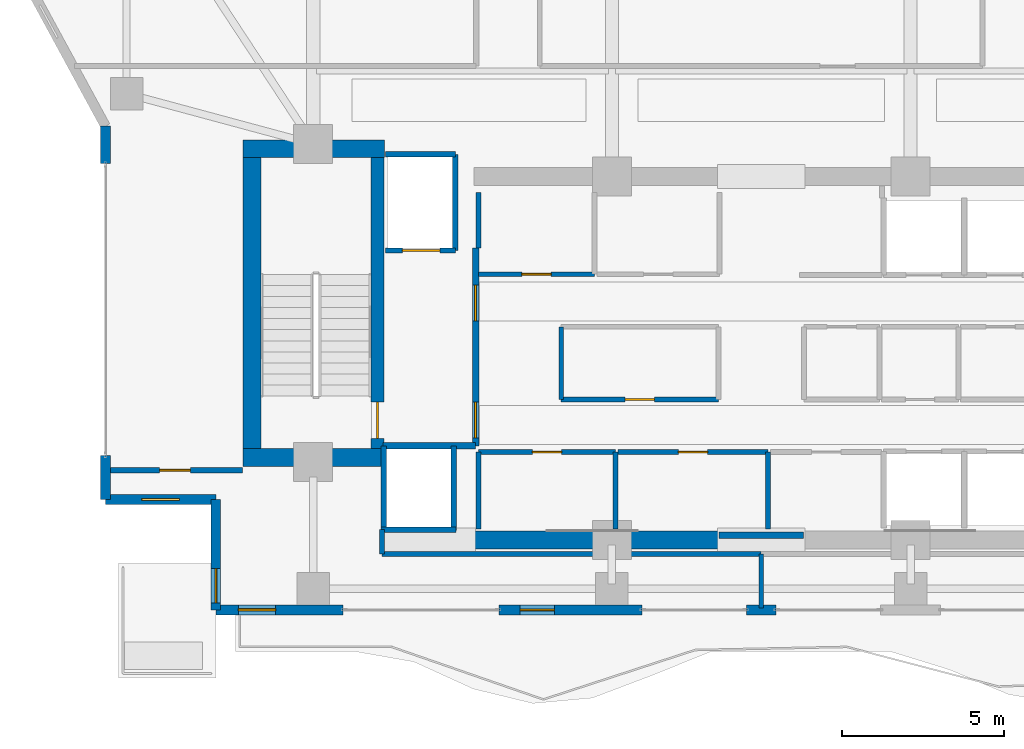
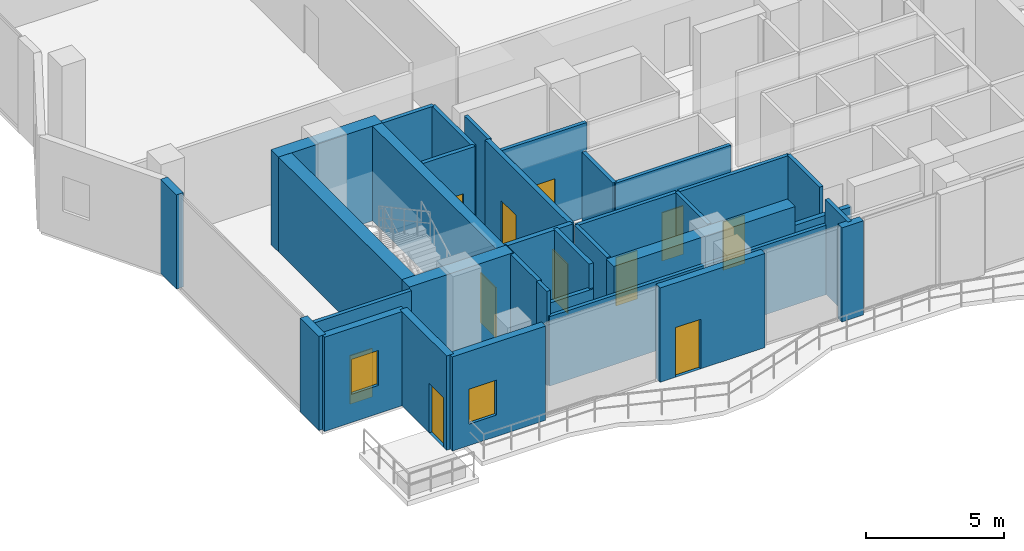
# One storey, part 18 of 24: 34 walls, 11 doors, 2 windows, 13 openings.
"""IFC4 building model written with IfcOpenShell, lengths in metres."""

from ifc_helpers import new_model, si_unit, direction, frame, frame_2d, origin, place, context, subcontext, project, spatial, rectangle, extrude, material, layer, layer_set, type_object, element, fill, save


model = new_model("IFC4")

# Units and contexts
model_context = context("Model", 3, precision=1e-05, world=origin(), true_north=direction((0.0, 1.0)))
body_context = subcontext(model_context, "Body", "Model", "MODEL_VIEW")
ifc_project = project(units=[si_unit("LENGTHUNIT", "METRE"), si_unit("AREAUNIT", "SQUARE_METRE"), si_unit("VOLUMEUNIT", "CUBIC_METRE"), si_unit("PLANEANGLEUNIT", "RADIAN"), si_unit("MASSUNIT", "GRAM", prefix="KILO")], contexts=[model_context])

# Site, building, storey
site_placement = place(None, origin())
site = spatial("IfcSite", under=ifc_project, at=site_placement, CompositionType="ELEMENT")
building_placement = place(site_placement, origin())
building = spatial("IfcBuilding", under=site, at=building_placement, Name="Zuhayl Quay Hotel", CompositionType="ELEMENT")
storey_placement = place(building_placement, frame((0.0, 0.0, 284.050048828125)))
storey = spatial("IfcBuildingStorey", under=building, at=storey_placement, Name="L72", CompositionType="ELEMENT", Elevation=284.050048828125)

# Walls
ifc_material_1 = material(Name="Concrete C50/60", Category="concrete")
ifc_layer_1 = layer(ifc_material_1, 0.550048828125, Name="Concrete C50/60", Category="concrete")
ifc_layer_set_1 = layer_set([ifc_layer_1], Name="Concrete C50/60")
wall_type_1 = type_object("IfcWallType", Name="WL_CORE_550", PredefinedType="SHEAR", material=ifc_layer_set_1)
wall_1_placement = place(storey_placement, frame((-15.9599609375, 14.205078125, 0.0), z_axis=(0.0, 0.0, 1.0), x_axis=(1.0, 0.0, 0.0)))
element("IfcWall", 1, at=wall_1_placement, inside=storey, type_object=wall_type_1, Name="L72 Core Shear Wall CW_NW", PredefinedType="SHEAR", context=body_context, shape_type="SweptSolid", body=[
    extrude(rectangle(XDim=4.35986328125, YDim=0.550048828125, at=frame_2d((2.179931640625, 0.0))), origin(), (0.0, 0.0, 1.0), 4.2099609375),
])
wall_2_placement = place(storey_placement, frame((-15.68505859375, 4.969970703125, 0.0), z_axis=(0.0, 0.0, 1.0), x_axis=(0.0, 1.0, 0.0)))
element("IfcWall", 2, at=wall_2_placement, inside=storey, type_object=wall_type_1, Name="L72 Core Shear Wall CW_W", PredefinedType="SHEAR", context=body_context, shape_type="SweptSolid", body=[
    extrude(rectangle(XDim=8.9599609375, YDim=0.550048828125, at=frame_2d((4.47998046875, 0.0))), origin(), (0.0, 0.0, 1.0), 4.2099609375),
])
wall_3_placement = place(storey_placement, frame((-15.9599609375, 4.695068359375, 0.0), z_axis=(0.0, 0.0, 1.0), x_axis=(1.0, 0.0, 0.0)))
element("IfcWall", 3, at=wall_3_placement, inside=storey, type_object=wall_type_1, Name="L72 Core Shear Wall CW_SW", PredefinedType="SHEAR", context=body_context, shape_type="SweptSolid", body=[
    extrude(rectangle(XDim=4.35986328125, YDim=0.550048828125, at=frame_2d((2.179931640625, 0.0))), origin(), (0.0, 0.0, 1.0), 4.2099609375),
])
wall_4_placement = place(storey_placement, frame((-8.85009765625, 2.14990234375, 0.0), z_axis=(0.0, 0.0, 1.0), x_axis=(1.0, 0.0, 0.0)))
element("IfcWall", 4, at=wall_4_placement, inside=storey, type_object=wall_type_1, Name="L72 Core Shear Wall CW_SC_W", PredefinedType="SHEAR", context=body_context, shape_type="SweptSolid", body=[
    extrude(rectangle(XDim=7.60009765625, YDim=0.550048828125, at=frame_2d((3.800048828125, 0.0))), origin(), (0.0, 0.0, 1.0), 4.179931640625),
])

# Wall, opening, window
ifc_material_2 = material(Name="Precast concrete C45/55", Category="concrete")
ifc_layer_2 = layer(ifc_material_2, 0.300048828125, Name="Precast concrete C45/55", Category="concrete")
ifc_layer_set_2 = layer_set([ifc_layer_2], Name="Precast concrete C45/55")
wall_type_2 = type_object("IfcWallType", Name="WL_EXT_300", PredefinedType="STANDARD", material=ifc_layer_set_2)
wall_5_placement = place(storey_placement, frame((-16.800048828125, 3.39990234375, 0.0), z_axis=(0.0, 0.0, 1.0), x_axis=(-1.0, 0.0, 0.0)))
wall_5 = element("IfcWall", 5, at=wall_5_placement, inside=storey, type_object=wall_type_2, Name="L72 Exterior Precast Wall ENV_L72_EW01", PredefinedType="STANDARD", context=body_context, shape_type="SweptSolid", body=[
    extrude(rectangle(XDim=3.39990234375, YDim=0.300048828125, at=frame_2d((1.699951171875, 0.0))), origin(), (0.0, 0.0, 1.0), 4.179931640625),
])
opening_1_placement = place(wall_5_placement, frame((1.125, 0.0, 1.25)))
opening_1 = element("IfcOpeningElement", 6, at=opening_1_placement, cuts=wall_5, Name="Opening W01N", PredefinedType="OPENING", context=body_context, shape_type="SweptSolid", body=[
    extrude(rectangle(XDim=1.14990234375, YDim=1.550048828125, at=frame_2d((0.574951171875, 0.77490234375))), frame((0.0, 0.159912109375, 0.0), z_axis=(0.0, -1.0, 0.0), x_axis=(1.0, 0.0, 0.0)), (0.0, 0.0, 1.0), 0.320068359375),
])
ifc_material_3 = material(Name="Dark Ceramic-Fritted Solar Glass", Category="glass")
window_type = type_object("IfcWindowType", Name="WN_NOTCH_1350", PartitioningType="SINGLE_PANEL", PredefinedType="WINDOW", material=ifc_material_3)
window_1_placement = place(opening_1_placement, origin())
window_1 = element("IfcWindow", 7, at=window_1_placement, inside=storey, type_object=window_type, Name="L72 Corner Notch Window 1", OverallHeight=1.550048828125, OverallWidth=1.14990234375, PartitioningType="SINGLE_PANEL", PredefinedType="WINDOW", context=body_context, shape_type="SweptSolid", body=[
    extrude(rectangle(XDim=1.14990234375, YDim=1.550048828125, at=frame_2d((0.574951171875, 0.77490234375))), frame((0.0, 0.030029296875, 0.0), z_axis=(0.0, -1.0, 0.0), x_axis=(1.0, 0.0, 0.0)), (0.0, 0.0, 1.0), 0.06005859375),
])
fill(opening_1, window_1)

# Walls
wall_6_placement = place(storey_placement, frame((-20.199951171875, 3.39990234375, 0.0), z_axis=(0.0, 0.0, 1.0), x_axis=(0.0, 1.0, 0.0)))
element("IfcWall", 8, at=wall_6_placement, inside=storey, type_object=wall_type_2, Name="L72 Exterior Precast Wall ENV_L72_E02_EW1", PredefinedType="STANDARD", context=body_context, shape_type="SweptSolid", body=[
    extrude(rectangle(XDim=1.35009765625, YDim=0.300048828125, at=frame_2d((0.675048828125, 0.0))), origin(), (0.0, 0.0, 1.0), 4.179931640625),
])
wall_7_placement = place(storey_placement, frame((-20.199951171875, 13.75, 0.0), z_axis=(0.0, 0.0, 1.0), x_axis=(0.0, 1.0, 0.0)))
element("IfcWall", 9, at=wall_7_placement, inside=storey, type_object=wall_type_2, Name="L72 Exterior Precast Wall ENV_L72_E02_EW2", PredefinedType="STANDARD", context=body_context, shape_type="SweptSolid", body=[
    extrude(rectangle(XDim=1.14990234375, YDim=0.300048828125, at=frame_2d((0.574951171875, 0.0))), origin(), (0.0, 0.0, 1.0), 4.179931640625),
])
wall_8_placement = place(storey_placement, frame((0.449951171875, 0.0, 0.0), z_axis=(0.0, 0.0, 1.0), x_axis=(-1.0, 0.0, 0.0)))
element("IfcWall", 10, at=wall_8_placement, inside=storey, type_object=wall_type_2, Name="L72 Exterior Precast Wall ENV_L72_S_EW3", PredefinedType="STANDARD", context=body_context, shape_type="SweptSolid", body=[
    extrude(rectangle(XDim=0.89990234375, YDim=0.300048828125, at=frame_2d((0.449951171875, 0.0))), origin(), (0.0, 0.0, 1.0), 4.179931640625),
])

# Wall, opening, door
wall_9_placement = place(storey_placement, frame((-3.679931640625, 0.0, 0.0), z_axis=(0.0, 0.0, 1.0), x_axis=(-1.0, 0.0, 0.0)))
wall_9 = element("IfcWall", 11, at=wall_9_placement, inside=storey, type_object=wall_type_2, Name="L72 Exterior Precast Wall ENV_L72_S_EW4", PredefinedType="STANDARD", context=body_context, shape_type="SweptSolid", body=[
    extrude(rectangle(XDim=4.39501953125, YDim=0.300048828125, at=frame_2d((2.197509765625, 0.0))), origin(), (0.0, 0.0, 1.0), 4.179931640625),
])
opening_2_placement = place(wall_9_placement, frame((2.695068359375, 0.0, 0.0)))
opening_2 = element("IfcOpeningElement", 12, at=opening_2_placement, cuts=wall_9, Name="Opening DG1", PredefinedType="OPENING", context=body_context, shape_type="SweptSolid", body=[
    extrude(rectangle(XDim=1.050048828125, YDim=2.199951171875, at=frame_2d((0.52490234375, 1.10009765625))), frame((0.0, 0.159912109375, 0.0), z_axis=(0.0, -1.0, 0.0), x_axis=(1.0, 0.0, 0.0)), (0.0, 0.0, 1.0), 0.320068359375),
])
ifc_material_4 = material(Name="Anodised Aluminium and Dark Solar Glass", Category="aluminium")
door_type_1 = type_object("IfcDoorType", Name="DR_EXT_TERR_1050", OperationType="NOTDEFINED", PredefinedType="DOOR", material=ifc_material_4)
door_1_placement = place(opening_2_placement, origin())
door_1 = element("IfcDoor", 13, at=door_1_placement, inside=storey, type_object=door_type_1, Name="L72 South Rippling Balcony Door", OperationType="SINGLE_SWING_RIGHT", OverallHeight=2.199951171875, OverallWidth=1.050048828125, PredefinedType="DOOR", context=body_context, shape_type="SweptSolid", body=[
    extrude(rectangle(XDim=1.050048828125, YDim=2.199951171875, at=frame_2d((0.52490234375, 1.10009765625))), frame((0.0, 0.02490234375, 0.0), z_axis=(0.0, -1.0, 0.0), x_axis=(1.0, 0.0, 0.0)), (0.0, 0.0, 1.0), 0.050048828125),
])
fill(opening_2, door_1)

# Wall, opening, window
wall_10_placement = place(storey_placement, frame((-12.8798828125, 0.0, 0.0), z_axis=(0.0, 0.0, 1.0), x_axis=(-1.0, 0.0, 0.0)))
wall_10 = element("IfcWall", 14, at=wall_10_placement, inside=storey, type_object=wall_type_2, Name="L72 Exterior Precast Wall ENV_L72_S_EW5", PredefinedType="STANDARD", context=body_context, shape_type="SweptSolid", body=[
    extrude(rectangle(XDim=3.920166015625, YDim=0.300048828125, at=frame_2d((1.9599609375, 0.0))), origin(), (0.0, 0.0, 1.0), 4.179931640625),
])
opening_3_placement = place(wall_10_placement, frame((2.074951171875, 0.0, 0.949951171875)))
opening_3 = element("IfcOpeningElement", 15, at=opening_3_placement, cuts=wall_10, Name="Opening W01N", PredefinedType="OPENING", context=body_context, shape_type="SweptSolid", body=[
    extrude(rectangle(XDim=1.14990234375, YDim=1.550048828125, at=frame_2d((0.574951171875, 0.77490234375))), frame((0.0, 0.159912109375, 0.0), z_axis=(0.0, -1.0, 0.0), x_axis=(1.0, 0.0, 0.0)), (0.0, 0.0, 1.0), 0.320068359375),
])
window_2_placement = place(opening_3_placement, origin())
window_2 = element("IfcWindow", 16, at=window_2_placement, inside=storey, type_object=window_type, Name="L72 Operable Facade Window 5-1", OverallHeight=1.550048828125, OverallWidth=1.14990234375, PartitioningType="SINGLE_PANEL", PredefinedType="WINDOW", context=body_context, shape_type="SweptSolid", body=[
    extrude(rectangle(XDim=1.14990234375, YDim=1.550048828125, at=frame_2d((0.574951171875, 0.77490234375))), frame((0.0, 0.030029296875, 0.0), z_axis=(0.0, -1.0, 0.0), x_axis=(1.0, 0.0, 0.0)), (0.0, 0.0, 1.0), 0.06005859375),
])
fill(opening_3, window_2)

# Wall, opening, door
wall_11_placement = place(storey_placement, frame((-16.800048828125, 0.0, 0.0), z_axis=(0.0, 0.0, 1.0), x_axis=(0.0, 1.0, 0.0)))
wall_11 = element("IfcWall", 17, at=wall_11_placement, inside=storey, type_object=wall_type_2, Name="L72 Exterior Precast Wall ENV_L72_SP_SW", PredefinedType="STANDARD", context=body_context, shape_type="SweptSolid", body=[
    extrude(rectangle(XDim=3.39990234375, YDim=0.300048828125, at=frame_2d((1.699951171875, 0.0))), origin(), (0.0, 0.0, 1.0), 4.179931640625),
])
opening_4_placement = place(wall_11_placement, frame((0.219970703125, 0.0, 0.0)))
opening_4 = element("IfcOpeningElement", 18, at=opening_4_placement, cuts=wall_11, Name="Opening DG1", PredefinedType="OPENING", context=body_context, shape_type="SweptSolid", body=[
    extrude(rectangle(XDim=1.050048828125, YDim=2.199951171875, at=frame_2d((0.52490234375, 1.10009765625))), frame((0.0, 0.159912109375, 0.0), z_axis=(0.0, -1.0, 0.0), x_axis=(1.0, 0.0, 0.0)), (0.0, 0.0, 1.0), 0.320068359375),
])
door_2_placement = place(opening_4_placement, origin())
door_2 = element("IfcDoor", 19, at=door_2_placement, inside=storey, type_object=door_type_1, Name="L72 Spiral Sky-Terrace SW Access Door", OperationType="SINGLE_SWING_LEFT", OverallHeight=2.199951171875, OverallWidth=1.050048828125, PredefinedType="DOOR", context=body_context, shape_type="SweptSolid", body=[
    extrude(rectangle(XDim=1.050048828125, YDim=2.199951171875, at=frame_2d((0.52490234375, 1.10009765625))), frame((0.0, 0.02490234375, 0.0), z_axis=(0.0, -1.0, 0.0), x_axis=(1.0, 0.0, 0.0)), (0.0, 0.0, 1.0), 0.050048828125),
])
fill(opening_4, door_2)

ifc_material_5 = material(Name="Acoustic Gypsum Partition STC-58")
ifc_layer_3 = layer(ifc_material_5, 0.14990234375, Name="Acoustic Gypsum Partition STC-58")
ifc_layer_set_3 = layer_set([ifc_layer_3], Name="Acoustic Gypsum Partition STC-58")
wall_type_3 = type_object("IfcWallType", Name="WL_PART_150", PredefinedType="PARTITIONING", material=ifc_layer_set_3)
wall_12_placement = place(storey_placement, frame((-8.7099609375, 4.860107421875, 0.0), z_axis=(0.0, 0.0, 1.0), x_axis=(1.0, 0.0, 0.0)))
wall_12 = element("IfcWall", 20, at=wall_12_placement, inside=storey, type_object=wall_type_3, Name="L72 Partition IW_L72_FMP_S1_N", PredefinedType="PARTITIONING", context=body_context, shape_type="SweptSolid", body=[
    extrude(rectangle(XDim=4.219970703125, YDim=0.14990234375, at=frame_2d((2.10986328125, 0.0))), origin(), (0.0, 0.0, 1.0), 4.179931640625),
])
opening_5_placement = place(wall_12_placement, frame((1.659912109375, 0.0, 0.0)))
opening_5 = element("IfcOpeningElement", 21, at=opening_5_placement, cuts=wall_12, Name="Opening D06", PredefinedType="OPENING", context=body_context, shape_type="SweptSolid", body=[
    extrude(rectangle(XDim=0.89990234375, YDim=2.14990234375, at=frame_2d((0.449951171875, 1.074951171875))), frame((0.0, 0.0849609375, 0.0), z_axis=(0.0, -1.0, 0.0), x_axis=(1.0, 0.0, 0.0)), (0.0, 0.0, 1.0), 0.169921875),
])
ifc_material_6 = material(Name="Steel ASTM A992 Grade 50", Category="steel")
door_type_2 = type_object("IfcDoorType", Name="DR_INT_900", OperationType="NOTDEFINED", PredefinedType="DOOR", material=ifc_material_6)
door_3_placement = place(opening_5_placement, origin())
door_3 = element("IfcDoor", 22, at=door_3_placement, inside=storey, type_object=door_type_2, Name="L72 Silverware Pantry Door", OperationType="SINGLE_SWING_LEFT", OverallHeight=2.14990234375, OverallWidth=0.89990234375, PredefinedType="DOOR", context=body_context, shape_type="SweptSolid", body=[
    extrude(rectangle(XDim=0.89990234375, YDim=2.14990234375, at=frame_2d((0.449951171875, 1.074951171875))), frame((0.0, 0.02490234375, 0.0), z_axis=(0.0, -1.0, 0.0), x_axis=(1.0, 0.0, 0.0)), (0.0, 0.0, 1.0), 0.050048828125),
])
fill(opening_5, door_3)

wall_13_placement = place(storey_placement, frame((-4.409912109375, 4.860107421875, 0.0), z_axis=(0.0, 0.0, 1.0), x_axis=(1.0, 0.0, 0.0)))
wall_13 = element("IfcWall", 23, at=wall_13_placement, inside=storey, type_object=wall_type_3, Name="L72 Partition IW_L72_FMP_S2_N", PredefinedType="PARTITIONING", context=body_context, shape_type="SweptSolid", body=[
    extrude(rectangle(XDim=4.619873046875, YDim=0.14990234375, at=frame_2d((2.31005859375, 0.0))), origin(), (0.0, 0.0, 1.0), 4.179931640625),
])
opening_6_placement = place(wall_13_placement, frame((1.860107421875, 0.0, 0.0)))
opening_6 = element("IfcOpeningElement", 24, at=opening_6_placement, cuts=wall_13, Name="Opening D06", PredefinedType="OPENING", context=body_context, shape_type="SweptSolid", body=[
    extrude(rectangle(XDim=0.89990234375, YDim=2.14990234375, at=frame_2d((0.449951171875, 1.074951171875))), frame((0.0, 0.0849609375, 0.0), z_axis=(0.0, -1.0, 0.0), x_axis=(1.0, 0.0, 0.0)), (0.0, 0.0, 1.0), 0.169921875),
])
door_4_placement = place(opening_6_placement, origin())
door_4 = element("IfcDoor", 25, at=door_4_placement, inside=storey, type_object=door_type_2, Name="L72 Crystal Store Door", OperationType="SINGLE_SWING_RIGHT", OverallHeight=2.14990234375, OverallWidth=0.89990234375, PredefinedType="DOOR", context=body_context, shape_type="SweptSolid", body=[
    extrude(rectangle(XDim=0.89990234375, YDim=2.14990234375, at=frame_2d((0.449951171875, 1.074951171875))), frame((0.0, 0.02490234375, 0.0), z_axis=(0.0, -1.0, 0.0), x_axis=(1.0, 0.0, 0.0)), (0.0, 0.0, 1.0), 0.050048828125),
])
fill(opening_6, door_4)

wall_14_placement = place(storey_placement, frame((-8.7099609375, 10.340087890625, 0.0), z_axis=(0.0, 0.0, 1.0), x_axis=(1.0, 0.0, 0.0)))
wall_14 = element("IfcWall", 26, at=wall_14_placement, inside=storey, type_object=wall_type_3, Name="L72 Partition IW_L72_FMP_N1_S", PredefinedType="PARTITIONING", context=body_context, shape_type="SweptSolid", body=[
    extrude(rectangle(XDim=3.570068359375, YDim=0.14990234375, at=frame_2d((1.78515625, 0.0))), origin(), (0.0, 0.0, 1.0), 4.179931640625),
])
opening_7_placement = place(wall_14_placement, frame((1.3349609375, 0.0, 0.0)))
opening_7 = element("IfcOpeningElement", 27, at=opening_7_placement, cuts=wall_14, Name="Opening D06", PredefinedType="OPENING", context=body_context, shape_type="SweptSolid", body=[
    extrude(rectangle(XDim=0.89990234375, YDim=2.14990234375, at=frame_2d((0.449951171875, 1.074951171875))), frame((0.0, 0.0849609375, 0.0), z_axis=(0.0, -1.0, 0.0), x_axis=(1.0, 0.0, 0.0)), (0.0, 0.0, 1.0), 0.169921875),
])
door_5_placement = place(opening_7_placement, origin())
door_5 = element("IfcDoor", 28, at=door_5_placement, inside=storey, type_object=door_type_2, Name="L72 West Valet Bay Door", OperationType="SINGLE_SWING_RIGHT", OverallHeight=2.14990234375, OverallWidth=0.89990234375, PredefinedType="DOOR", context=body_context, shape_type="SweptSolid", body=[
    extrude(rectangle(XDim=0.89990234375, YDim=2.14990234375, at=frame_2d((0.449951171875, 1.074951171875))), frame((0.0, 0.02490234375, 0.0), z_axis=(0.0, -1.0, 0.0), x_axis=(1.0, 0.0, 0.0)), (0.0, 0.0, 1.0), 0.050048828125),
])
fill(opening_7, door_5)

wall_15_placement = place(storey_placement, frame((-6.159912109375, 6.47998046875, 0.0), z_axis=(0.0, 0.0, 1.0), x_axis=(1.0, 0.0, 0.0)))
wall_15 = element("IfcWall", 29, at=wall_15_placement, inside=storey, type_object=wall_type_3, Name="L72 Partition IW_L72_CORE_SV_S", PredefinedType="PARTITIONING", context=body_context, shape_type="SweptSolid", body=[
    extrude(rectangle(XDim=4.83984375, YDim=0.14990234375, at=frame_2d((2.419921875, 0.0))), origin(), (0.0, 0.0, 1.0), 4.179931640625),
])
opening_8_placement = place(wall_15_placement, frame((1.969970703125, 0.0, 0.0)))
opening_8 = element("IfcOpeningElement", 30, at=opening_8_placement, cuts=wall_15, Name="Opening D06", PredefinedType="OPENING", context=body_context, shape_type="SweptSolid", body=[
    extrude(rectangle(XDim=0.89990234375, YDim=2.14990234375, at=frame_2d((0.449951171875, 1.074951171875))), frame((0.0, 0.0849609375, 0.0), z_axis=(0.0, -1.0, 0.0), x_axis=(1.0, 0.0, 0.0)), (0.0, 0.0, 1.0), 0.169921875),
])
door_6_placement = place(opening_8_placement, origin())
door_6 = element("IfcDoor", 31, at=door_6_placement, inside=storey, type_object=door_type_2, Name="L72 Core Ice and Linen Store Door", OperationType="SINGLE_SWING_RIGHT", OverallHeight=2.14990234375, OverallWidth=0.89990234375, PredefinedType="DOOR", context=body_context, shape_type="SweptSolid", body=[
    extrude(rectangle(XDim=0.89990234375, YDim=2.14990234375, at=frame_2d((0.449951171875, 1.074951171875))), frame((0.0, 0.02490234375, 0.0), z_axis=(0.0, -1.0, 0.0), x_axis=(1.0, 0.0, 0.0)), (0.0, 0.0, 1.0), 0.050048828125),
])
fill(opening_8, door_6)

# Walls
for number, where, z_axis, x_axis, name in (
    (32, (-8.7099609375, 2.489990234375, 0.0), (0.0, 0.0, 1.0), (0.0, 1.0, 0.0), "L72 Partition IW_L72_FMP_S1_W"),
    (33, (-4.489990234375, 2.489990234375, 0.0), (0.0, 0.0, 1.0), (0.0, 1.0, 0.0), "L72 Partition IW_L72_FMP_S1_E"),
    (34, (0.2099609375, 2.489990234375, 0.0), (0.0, 0.0, 1.0), (0.0, 1.0, 0.0), "L72 Partition IW_L72_FMP_S2_E"),
):
    element("IfcWall", number, at=place(storey_placement, frame(where, z_axis=z_axis, x_axis=x_axis)), inside=storey, type_object=wall_type_3, Name=name, PredefinedType="PARTITIONING", context=body_context, shape_type="SweptSolid", body=[
        extrude(rectangle(XDim=2.3701171875, YDim=0.14990234375, at=frame_2d((1.18505859375, 0.0))), origin(), (0.0, 0.0, 1.0), 4.179931640625),
    ])
wall_16_placement = place(storey_placement, frame((-8.7099609375, 11.14990234375, 0.0), z_axis=(0.0, 0.0, 1.0), x_axis=(0.0, 1.0, 0.0)))
element("IfcWall", 35, at=wall_16_placement, inside=storey, type_object=wall_type_3, Name="L72 Partition IW_L72_FMP_N1_W", PredefinedType="PARTITIONING", context=body_context, shape_type="SweptSolid", body=[
    extrude(rectangle(XDim=1.710205078125, YDim=0.14990234375, at=frame_2d((0.85498046875, 0.0))), origin(), (0.0, 0.0, 1.0), 4.179931640625),
])
wall_17_placement = place(storey_placement, frame((-6.159912109375, 6.47998046875, 0.0), z_axis=(0.0, 0.0, 1.0), x_axis=(0.0, 1.0, 0.0)))
element("IfcWall", 36, at=wall_17_placement, inside=storey, type_object=wall_type_3, Name="L72 Partition IW_L72_CORE_SV_W", PredefinedType="PARTITIONING", context=body_context, shape_type="SweptSolid", body=[
    extrude(rectangle(XDim=2.239990234375, YDim=0.14990234375, at=frame_2d((1.1201171875, 0.0))), origin(), (0.0, 0.0, 1.0), 4.179931640625),
])
wall_18_placement = place(storey_placement, frame((-11.679931640625, 1.719970703125, 0.0), z_axis=(0.0, 0.0, 1.0), x_axis=(0.0, 1.0, 0.0)))
element("IfcWall", 37, at=wall_18_placement, inside=storey, type_object=wall_type_3, Name="L72 Partition IW_L72_Z4_SUN_SW_IN", PredefinedType="PARTITIONING", context=body_context, shape_type="SweptSolid", body=[
    extrude(rectangle(XDim=0.75, YDim=0.14990234375, at=frame_2d((0.375, 0.0))), origin(), (0.0, 0.0, 1.0), 4.179931640625),
])
wall_19_placement = place(storey_placement, frame((-11.679931640625, 1.719970703125, 0.0), z_axis=(0.0, 0.0, 1.0), x_axis=(1.0, 0.0, 0.0)))
element("IfcWall", 38, at=wall_19_placement, inside=storey, type_object=wall_type_3, Name="L72 Partition IW_L72_Z4_SUN_SW_SN", PredefinedType="PARTITIONING", context=body_context, shape_type="SweptSolid", body=[
    extrude(rectangle(XDim=11.679931640625, YDim=0.14990234375, at=frame_2d((5.83984375, 0.0))), origin(), (0.0, 0.0, 1.0), 3.079833984375),
])
wall_20_placement = place(storey_placement, frame((0.0, 0.06005859375, 0.0), z_axis=(0.0, 0.0, 1.0), x_axis=(0.0, 1.0, 0.0)))
element("IfcWall", 39, at=wall_20_placement, inside=storey, type_object=wall_type_3, Name="L72 Partition IW_L72_Z4_SUN_MID", PredefinedType="PARTITIONING", context=body_context, shape_type="SweptSolid", body=[
    extrude(rectangle(XDim=1.659912109375, YDim=0.14990234375, at=frame_2d((0.830078125, 0.0))), origin(), (0.0, 0.0, 1.0), 4.179931640625),
])

# Wall, opening, door
ifc_layer_4 = layer(ifc_material_5, 0.159912109375, Name="Acoustic Gypsum Partition STC-58")
ifc_layer_set_4 = layer_set([ifc_layer_4], Name="Acoustic Gypsum Partition STC-58")
wall_type_4 = type_object("IfcWallType", Name="WL_PART_CORR_160", PredefinedType="PARTITIONING", material=ifc_layer_set_4)
wall_21_placement = place(storey_placement, frame((-20.139892578125, 4.300048828125, 0.0), z_axis=(0.0, 0.0, 1.0), x_axis=(1.0, 0.0, 0.0)))
wall_21 = element("IfcWall", 40, at=wall_21_placement, inside=storey, type_object=wall_type_4, Name="L72 Partition IW_L72_Z4_SUN_SW_N", PredefinedType="PARTITIONING", context=body_context, shape_type="SweptSolid", body=[
    extrude(rectangle(XDim=4.159912109375, YDim=0.159912109375, at=frame_2d((2.080078125, 0.0))), origin(), (0.0, 0.0, 1.0), 4.179931640625),
])
opening_9_placement = place(wall_21_placement, frame((1.60498046875, 0.0, 0.0)))
opening_9 = element("IfcOpeningElement", 41, at=opening_9_placement, cuts=wall_21, Name="Opening D03", PredefinedType="OPENING", context=body_context, shape_type="SweptSolid", body=[
    extrude(rectangle(XDim=0.949951171875, YDim=2.14990234375, at=frame_2d((0.47509765625, 1.074951171875))), frame((0.0, 0.08984375, 0.0), z_axis=(0.0, -1.0, 0.0), x_axis=(1.0, 0.0, 0.0)), (0.0, 0.0, 1.0), 0.179931640625),
])
ifc_material_7 = material(Name="Solid Walnut Acoustic Fire Door")
door_type_3 = type_object("IfcDoorType", Name="DR_SUITE_950", OperationType="NOTDEFINED", PredefinedType="DOOR", material=ifc_material_7)
door_7_placement = place(opening_9_placement, origin())
door_7 = element("IfcDoor", 42, at=door_7_placement, inside=storey, type_object=door_type_3, Name="L72 Sunset Salon SW Door", OperationType="SINGLE_SWING_RIGHT", OverallHeight=2.14990234375, OverallWidth=0.949951171875, PredefinedType="DOOR", context=body_context, shape_type="SweptSolid", body=[
    extrude(rectangle(XDim=0.949951171875, YDim=2.14990234375, at=frame_2d((0.47509765625, 1.074951171875))), frame((0.0, 0.02490234375, 0.0), z_axis=(0.0, -1.0, 0.0), x_axis=(1.0, 0.0, 0.0)), (0.0, 0.0, 1.0), 0.050048828125),
])
fill(opening_9, door_7)

ifc_material_8 = material(Name="Gypsum Fireboard Assembly EI-90")
ifc_layer_5 = layer(ifc_material_8, 0.1650390625, Name="Gypsum Fireboard Assembly EI-90")
ifc_layer_set_5 = layer_set([ifc_layer_5], Name="Gypsum Fireboard Assembly EI-90")
wall_type_5 = type_object("IfcWallType", Name="WL_PART_SHAFT_160", PredefinedType="PARTITIONING", material=ifc_layer_set_5)
wall_22_placement = place(storey_placement, frame((-11.580078125, 11.070068359375, 0.0), z_axis=(0.0, 0.0, 1.0), x_axis=(1.0, 0.0, 0.0)))
wall_22 = element("IfcWall", 43, at=wall_22_placement, inside=storey, type_object=wall_type_5, Name="L72 Partition IW_L72_SH_FL1_F", PredefinedType="PARTITIONING", context=body_context, shape_type="SweptSolid", body=[
    extrude(rectangle(XDim=2.16015625, YDim=0.1650390625, at=frame_2d((1.080078125, 0.0))), origin(), (0.0, 0.0, 1.0), 4.179931640625),
])
opening_10_placement = place(wall_22_placement, frame((0.530029296875, 0.0, 0.0)))
opening_10 = element("IfcOpeningElement", 44, at=opening_10_placement, cuts=wall_22, Name="Opening LD2", PredefinedType="OPENING", context=body_context, shape_type="SweptSolid", body=[
    extrude(rectangle(XDim=1.14990234375, YDim=2.25, at=frame_2d((0.574951171875, 1.125))), frame((0.0, 0.092529296875, 0.0), z_axis=(0.0, -1.0, 0.0), x_axis=(1.0, 0.0, 0.0)), (0.0, 0.0, 1.0), 0.18505859375),
])
ifc_material_9 = material(Name="Brushed Stainless Steel", Category="steel")
door_type_4 = type_object("IfcDoorType", Name="DR_LIFT_FF_1100", OperationType="SLIDING_TO_LEFT", PredefinedType="DOOR", material=ifc_material_9)
door_8_placement = place(opening_10_placement, origin())
door_8 = element("IfcDoor", 45, at=door_8_placement, inside=storey, type_object=door_type_4, Name="L72 Lift FL1 Sliding Landing Door", OperationType="SLIDING_TO_LEFT", OverallHeight=2.25, OverallWidth=1.14990234375, PredefinedType="DOOR", context=body_context, shape_type="SweptSolid", body=[
    extrude(rectangle(XDim=1.14990234375, YDim=2.25, at=frame_2d((0.574951171875, 1.125))), frame((0.0, 0.02490234375, 0.0), z_axis=(0.0, -1.0, 0.0), x_axis=(1.0, 0.0, 0.0)), (0.0, 0.0, 1.0), 0.050048828125),
])
fill(opening_10, door_8)

# Walls
wall_23_placement = place(storey_placement, frame((-9.419921875, 11.070068359375, 0.0), z_axis=(0.0, 0.0, 1.0), x_axis=(0.0, 1.0, 0.0)))
element("IfcWall", 46, at=wall_23_placement, inside=storey, type_object=wall_type_5, Name="L72 Partition IW_L72_SH_FL1_E", PredefinedType="PARTITIONING", context=body_context, shape_type="SweptSolid", body=[
    extrude(rectangle(XDim=2.9599609375, YDim=0.1650390625, at=frame_2d((1.47998046875, 0.0))), origin(), (0.0, 0.0, 1.0), 4.179931640625),
])
wall_24_placement = place(storey_placement, frame((-11.580078125, 14.030029296875, 0.0), z_axis=(0.0, 0.0, 1.0), x_axis=(1.0, 0.0, 0.0)))
element("IfcWall", 47, at=wall_24_placement, inside=storey, type_object=wall_type_5, Name="L72 Partition IW_L72_SH_FL1_B", PredefinedType="PARTITIONING", context=body_context, shape_type="SweptSolid", body=[
    extrude(rectangle(XDim=2.16015625, YDim=0.1650390625, at=frame_2d((1.080078125, 0.0))), origin(), (0.0, 0.0, 1.0), 4.179931640625),
])
wall_25_placement = place(storey_placement, frame((-11.6298828125, 2.469970703125, 0.0), z_axis=(0.0, 0.0, 1.0), x_axis=(0.0, 1.0, 0.0)))
element("IfcWall", 48, at=wall_25_placement, inside=storey, type_object=wall_type_5, Name="L72 Partition IW_L72_RISER_W", PredefinedType="PARTITIONING", context=body_context, shape_type="SweptSolid", body=[
    extrude(rectangle(XDim=2.580078125, YDim=0.1650390625, at=frame_2d((1.2900390625, 0.0))), origin(), (0.0, 0.0, 1.0), 4.179931640625),
])
wall_26_placement = place(storey_placement, frame((-11.7099609375, 2.469970703125, 0.0), z_axis=(0.0, 0.0, 1.0), x_axis=(1.0, 0.0, 0.0)))
element("IfcWall", 49, at=wall_26_placement, inside=storey, type_object=wall_type_5, Name="L72 Partition IW_L72_RISER_S", PredefinedType="PARTITIONING", context=body_context, shape_type="SweptSolid", body=[
    extrude(rectangle(XDim=2.31005859375, YDim=0.1650390625, at=frame_2d((1.155029296875, 0.0))), origin(), (0.0, 0.0, 1.0), 3.079833984375),
])
ifc_layer_6 = layer(ifc_material_8, 0.179931640625, Name="Gypsum Fireboard Assembly EI-90")
ifc_layer_set_6 = layer_set([ifc_layer_6], Name="Gypsum Fireboard Assembly EI-90")
wall_type_6 = type_object("IfcWallType", Name="WL_PART_SHAFT_180", PredefinedType="PARTITIONING", material=ifc_layer_set_6)
wall_27_placement = place(storey_placement, frame((-9.469970703125, 2.449951171875, 0.0), z_axis=(0.0, 0.0, 1.0), x_axis=(0.0, 1.0, 0.0)))
element("IfcWall", 50, at=wall_27_placement, inside=storey, type_object=wall_type_6, Name="L72 Partition IW_L72_RISER_E", PredefinedType="PARTITIONING", context=body_context, shape_type="SweptSolid", body=[
    extrude(rectangle(XDim=2.60009765625, YDim=0.179931640625, at=frame_2d((1.300048828125, 0.0))), origin(), (0.0, 0.0, 1.0), 4.179931640625),
])

# Wall, openings, doors
ifc_material_10 = material(Name="Gypsum Fireboard Assembly EI-120")
ifc_layer_7 = layer(ifc_material_10, 0.199951171875, Name="Gypsum Fireboard Assembly EI-120")
ifc_layer_set_7 = layer_set([ifc_layer_7], Name="Gypsum Fireboard Assembly EI-120")
wall_type_7 = type_object("IfcWallType", Name="WL_PART_SHAFT_200", PredefinedType="PARTITIONING", material=ifc_layer_set_7)
wall_28_placement = place(storey_placement, frame((-8.800048828125, 5.050048828125, 0.0), z_axis=(0.0, 0.0, 1.0), x_axis=(0.0, 1.0, 0.0)))
wall_28 = element("IfcWall", 51, at=wall_28_placement, inside=storey, type_object=wall_type_7, Name="L72 Partition IW_L72_FSAE_W_E", PredefinedType="PARTITIONING", context=body_context, shape_type="SweptSolid", body=[
    extrude(rectangle(XDim=6.099853515625, YDim=0.199951171875, at=frame_2d((3.0498046875, 0.0))), origin(), (0.0, 0.0, 1.0), 4.179931640625),
])
opening_11_placement = place(wall_28_placement, frame((0.25, 0.0, 0.0)))
opening_11 = element("IfcOpeningElement", 52, at=opening_11_placement, cuts=wall_28, Name="Opening D02", PredefinedType="OPENING", context=body_context, shape_type="SweptSolid", body=[
    extrude(rectangle(XDim=1.10009765625, YDim=2.199951171875, at=frame_2d((0.550048828125, 1.10009765625))), frame((0.0, 0.10986328125, 0.0), z_axis=(0.0, -1.0, 0.0), x_axis=(1.0, 0.0, 0.0)), (0.0, 0.0, 1.0), 0.219970703125),
])
opening_12_placement = place(wall_28_placement, frame((3.85009765625, 0.0, 0.0)))
opening_12 = element("IfcOpeningElement", 53, at=opening_12_placement, cuts=wall_28, Name="Opening D02", PredefinedType="OPENING", context=body_context, shape_type="SweptSolid", body=[
    extrude(rectangle(XDim=1.10009765625, YDim=2.199951171875, at=frame_2d((0.550048828125, 1.10009765625))), frame((0.0, 0.10986328125, 0.0), z_axis=(0.0, -1.0, 0.0), x_axis=(1.0, 0.0, 0.0)), (0.0, 0.0, 1.0), 0.219970703125),
])
door_type_5 = type_object("IfcDoorType", Name="DR_FIRE_90_1100", OperationType="NOTDEFINED", PredefinedType="DOOR", material=ifc_material_6)
door_9_placement = place(opening_11_placement, origin())
door_9 = element("IfcDoor", 54, at=door_9_placement, inside=storey, type_object=door_type_5, Name="L72 FSAE Lobby West South Entry Door", OperationType="SINGLE_SWING_LEFT", OverallHeight=2.199951171875, OverallWidth=1.10009765625, PredefinedType="DOOR", context=body_context, shape_type="SweptSolid", body=[
    extrude(rectangle(XDim=1.10009765625, YDim=2.199951171875, at=frame_2d((0.550048828125, 1.10009765625))), frame((0.0, 0.02490234375, 0.0), z_axis=(0.0, -1.0, 0.0), x_axis=(1.0, 0.0, 0.0)), (0.0, 0.0, 1.0), 0.050048828125),
])
fill(opening_11, door_9)
door_10_placement = place(opening_12_placement, origin())
door_10 = element("IfcDoor", 55, at=door_10_placement, inside=storey, type_object=door_type_5, Name="L72 FSAE Lobby West North Entry Door", OperationType="SINGLE_SWING_RIGHT", OverallHeight=2.199951171875, OverallWidth=1.10009765625, PredefinedType="DOOR", context=body_context, shape_type="SweptSolid", body=[
    extrude(rectangle(XDim=1.10009765625, YDim=2.199951171875, at=frame_2d((0.550048828125, 1.10009765625))), frame((0.0, 0.02490234375, 0.0), z_axis=(0.0, -1.0, 0.0), x_axis=(1.0, 0.0, 0.0)), (0.0, 0.0, 1.0), 0.050048828125),
])
fill(opening_12, door_10)

# Walls
wall_29_placement = place(storey_placement, frame((-11.64990234375, 5.050048828125, 0.0), z_axis=(0.0, 0.0, 1.0), x_axis=(1.0, 0.0, 0.0)))
element("IfcWall", 56, at=wall_29_placement, inside=storey, type_object=wall_type_7, Name="L72 Partition IW_L72_FSAE_W_S", PredefinedType="PARTITIONING", context=body_context, shape_type="SweptSolid", body=[
    extrude(rectangle(XDim=2.849853515625, YDim=0.199951171875, at=frame_2d((1.4248046875, 0.0))), origin(), (0.0, 0.0, 1.0), 4.179931640625),
])
wall_30_placement = place(storey_placement, frame((-1.300048828125, 2.300048828125, 0.0), z_axis=(0.0, 0.0, 1.0), x_axis=(1.0, 0.0, 0.0)))
element("IfcWall", 57, at=wall_30_placement, inside=storey, type_object=wall_type_7, Name="L72 Partition IW_L72_CORE_SCM", PredefinedType="PARTITIONING", context=body_context, shape_type="SweptSolid", body=[
    extrude(rectangle(XDim=2.60009765625, YDim=0.199951171875, at=frame_2d((1.300048828125, 0.0))), origin(), (0.0, 0.0, 1.0), 3.079833984375),
])

# Wall, opening, door
ifc_material_11 = material(Name="Concrete C60/75", Category="concrete")
ifc_layer_8 = layer(ifc_material_11, 0.39990234375, Name="Concrete C60/75", Category="concrete")
ifc_layer_set_8 = layer_set([ifc_layer_8], Name="Concrete C60/75")
wall_type_8 = type_object("IfcWallType", Name="WL_STAIR_400", PredefinedType="SHEAR", material=ifc_layer_set_8)
wall_31_placement = place(storey_placement, frame((-11.820068359375, 4.969970703125, 0.0), z_axis=(0.0, 0.0, 1.0), x_axis=(0.0, 1.0, 0.0)))
wall_31 = element("IfcWall", 58, at=wall_31_placement, inside=storey, type_object=wall_type_8, Name="L72 Core Shear Wall SW_ST1", PredefinedType="SHEAR", context=body_context, shape_type="SweptSolid", body=[
    extrude(rectangle(XDim=8.9599609375, YDim=0.39990234375, at=frame_2d((4.47998046875, 0.0))), origin(), (0.0, 0.0, 1.0), 4.2099609375),
])
opening_13_placement = place(wall_31_placement, frame((0.31005859375, 0.0, 0.0)))
opening_13 = element("IfcOpeningElement", 59, at=opening_13_placement, cuts=wall_31, Name="Opening D01", PredefinedType="OPENING", context=body_context, shape_type="SweptSolid", body=[
    extrude(rectangle(XDim=1.1201171875, YDim=2.219970703125, at=frame_2d((0.56005859375, 1.10986328125))), frame((0.0, 0.2099609375, 0.0), z_axis=(0.0, -1.0, 0.0), x_axis=(1.0, 0.0, 0.0)), (0.0, 0.0, 1.0), 0.419921875),
])
door_type_6 = type_object("IfcDoorType", Name="DR_STAIR_90_1100", OperationType="NOTDEFINED", PredefinedType="DOOR", material=ifc_material_6)
door_11_placement = place(opening_13_placement, origin())
door_11 = element("IfcDoor", 60, at=door_11_placement, inside=storey, type_object=door_type_6, Name="L72 Smokeproof Exit Stair ST1 Door", OperationType="SINGLE_SWING_LEFT", OverallHeight=2.219970703125, OverallWidth=1.1201171875, PredefinedType="DOOR", context=body_context, shape_type="SweptSolid", body=[
    extrude(rectangle(XDim=1.1201171875, YDim=2.219970703125, at=frame_2d((0.56005859375, 1.10986328125))), frame((0.0, 0.02490234375, 0.0), z_axis=(0.0, -1.0, 0.0), x_axis=(1.0, 0.0, 0.0)), (0.0, 0.0, 1.0), 0.050048828125),
])
fill(opening_13, door_11)

save(model, "model.ifc")
